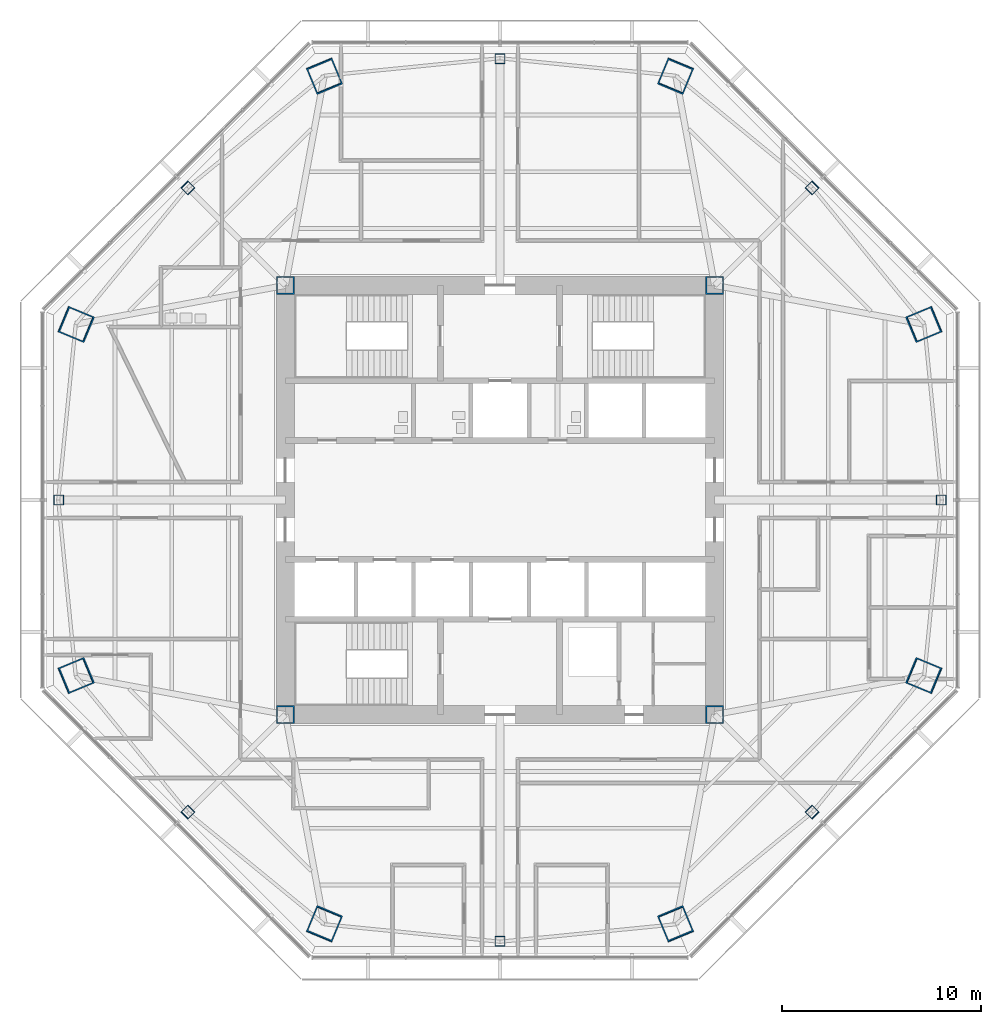
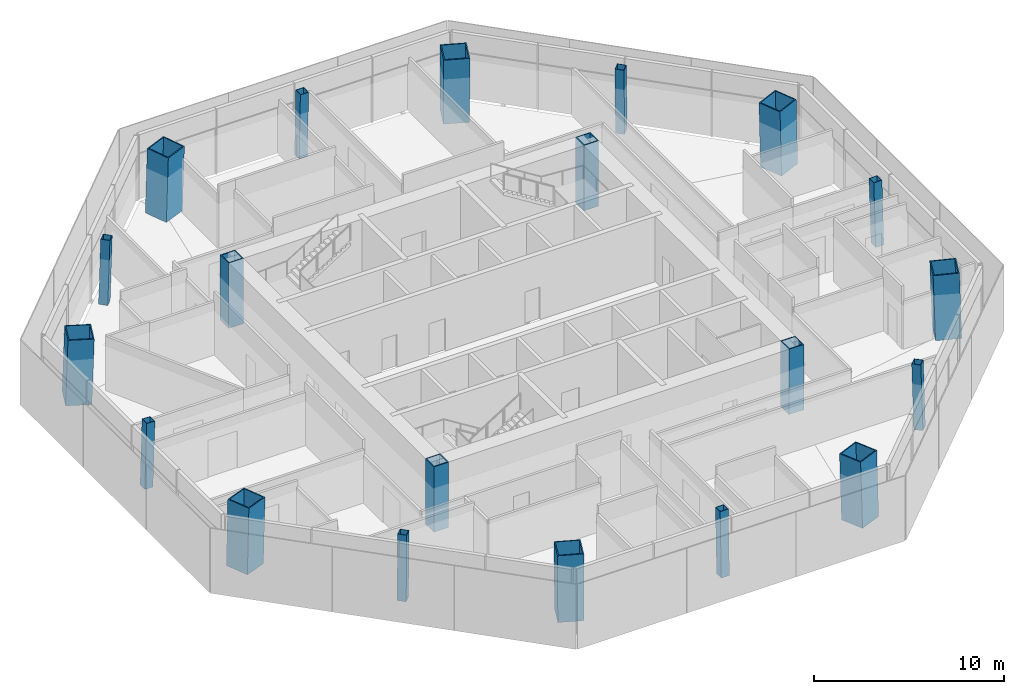
# One storey, part 1 of 15: 20 columns.
"""IFC4 building model written with IfcOpenShell, lengths in metres."""

from ifc_helpers import new_model, si_unit, direction, frame, origin, origin_2d, place, context, subcontext, project, spatial, hollow_rectangle, extrude, material, material_profile, profile_set, type_object, element, save


model = new_model("IFC4")

# Units and contexts
model_context = context("Model", 3, precision=1e-05, world=origin(), true_north=direction((0.0, 1.0)))
body_context = subcontext(model_context, "Body", "Model", "MODEL_VIEW")
ifc_project = project(units=[si_unit("LENGTHUNIT", "METRE"), si_unit("AREAUNIT", "SQUARE_METRE"), si_unit("VOLUMEUNIT", "CUBIC_METRE"), si_unit("PLANEANGLEUNIT", "RADIAN"), si_unit("MASSUNIT", "GRAM", prefix="KILO")], contexts=[model_context])

# Site, building, storey
site_placement = place(None, origin())
site = spatial("IfcSite", under=ifc_project, at=site_placement, CompositionType="ELEMENT")
building_placement = place(site_placement, origin())
building = spatial("IfcBuilding", under=site, at=building_placement, Name="Mashrafa Tower", CompositionType="ELEMENT")
storey_placement = place(building_placement, frame((0.0, 0.0, 176.39990234375)))
storey = spatial("IfcBuildingStorey", under=building, at=storey_placement, Name="L40", CompositionType="ELEMENT", Elevation=176.39990234375)

# Columns
ifc_material_1 = material(Name="Steel ASTM A572 Gr 50", Category="steel")
ifc_material_profile_1 = material_profile(ifc_material_1, hollow_rectangle(XDim=0.89990234375, YDim=0.89990234375, WallThickness=0.06005859375, at=origin_2d()), Name="BOX900X900X60")
ifc_profile_set_1 = profile_set([ifc_material_profile_1], Name="Steel ASTM A572 Gr 50")
column_type_1 = type_object("IfcColumnType", Name="Core corner column BOX900X900X60", PredefinedType="COLUMN", material=ifc_profile_set_1)
for number, where, z_axis, x_axis, name in (
    (1, (10.800048828125, 10.800048828125, 0.0), (0.0, 0.0, 1.0), (1.0, 0.0, 0.0), "Core corner column CC-NE L40"),
    (2, (-10.800048828125, 10.800048828125, 0.0), (0.0, 0.0, 1.0), (1.0, 0.0, 0.0), "Core corner column CC-NW L40"),
    (3, (-10.800048828125, -10.800048828125, 0.0), (0.0, 0.0, 1.0), (1.0, 0.0, 0.0), "Core corner column CC-SW L40"),
    (4, (10.800048828125, -10.800048828125, 0.0), (0.0, 0.0, 1.0), (1.0, 0.0, 0.0), "Core corner column CC-SE L40"),
):
    element("IfcColumn", number, at=place(storey_placement, frame(where, z_axis=z_axis, x_axis=x_axis)), inside=storey, type_object=column_type_1, Name=name, PredefinedType="COLUMN", context=body_context, shape_type="SweptSolid", body=[
        extrude(hollow_rectangle(XDim=0.89990234375, YDim=0.89990234375, WallThickness=0.06005859375, at=origin_2d()), origin(), (0.0, 0.0, 1.0), 4.2001953125),
    ])
ifc_material_2 = material(Name="Steel ASTM A572 Gr 50", Category="steel")
ifc_material_profile_2 = material_profile(ifc_material_2, hollow_rectangle(XDim=1.39990234375, YDim=1.39990234375, WallThickness=0.06494140625, at=origin_2d()), Name="BOX1400X1400X65")
ifc_profile_set_2 = profile_set([ifc_material_profile_2], Name="Steel ASTM A572 Gr 50")
column_type_2 = type_object("IfcColumnType", Name="Mega column CFST BOX1400X1400X65", PredefinedType="COLUMN", material=ifc_profile_set_2)
for number, where, z_axis, x_axis, name in (
    (5, (21.346435546875, 8.842041015625, 0.0), (-0.028294087032, -0.011735945751, 0.999530746009), (0.383133442967, -0.923693003589, 0.0), "Mega column MC1 L40"),
    (6, (8.842041015625, 21.346435546875, 0.0), (-0.011735945751, -0.028294087032, 0.999530746009), (0.923693003589, -0.383133442967, 0.0), "Mega column MC2 L40"),
    (7, (-8.842041015625, 21.346435546875, 0.0), (0.011735945751, -0.028294087032, 0.999530746009), (0.923693003589, 0.383133442967, 0.0), "Mega column MC3 L40"),
    (8, (-21.346435546875, 8.842041015625, 0.0), (0.028294087032, -0.011735945751, 0.999530746009), (0.383133442967, 0.923693003589, 0.0), "Mega column MC4 L40"),
    (9, (-21.346435546875, -8.842041015625, 0.0), (0.028294087032, 0.011735945751, 0.999530746009), (-0.383133442967, 0.923693003589, 0.0), "Mega column MC5 L40"),
    (10, (-8.842041015625, -21.346435546875, 0.0), (0.011735945751, 0.028294087032, 0.999530746009), (-0.923693003589, 0.383133442967, 0.0), "Mega column MC6 L40"),
    (11, (8.842041015625, -21.346435546875, 0.0), (-0.011735945751, 0.028294087032, 0.999530746009), (-0.923693003589, -0.383133442967, 0.0), "Mega column MC7 L40"),
    (12, (21.346435546875, -8.842041015625, 0.0), (-0.028294087032, 0.011735945751, 0.999530746009), (-0.383133442967, -0.923693003589, 0.0), "Mega column MC8 L40"),
):
    element("IfcColumn", number, at=place(storey_placement, frame(where, z_axis=z_axis, x_axis=x_axis)), inside=storey, type_object=column_type_2, Name=name, PredefinedType="COLUMN", context=body_context, shape_type="SweptSolid", body=[
        extrude(hollow_rectangle(XDim=1.39990234375, YDim=1.39990234375, WallThickness=0.06494140625, at=origin_2d()), origin(), (0.0, 0.0, 1.0), 4.2021484375),
    ])
ifc_material_3 = material(Name="Steel ASTM A572 Gr 50", Category="steel")
ifc_material_profile_3 = material_profile(ifc_material_3, hollow_rectangle(XDim=0.5, YDim=0.5, WallThickness=0.02490234375, at=origin_2d()), Name="BOX500X500X25")
ifc_profile_set_3 = profile_set([ifc_material_profile_3], Name="Steel ASTM A572 Gr 50")
column_type_3 = type_object("IfcColumnType", Name="Secondary column BOX500X500X25", PredefinedType="COLUMN", material=ifc_profile_set_3)
for number, where, z_axis, x_axis, name in (
    (13, (22.224609375, 0.0, 0.0), (-0.02829603574, 0.0, 0.999599587015), (0.0, -1.0, 0.0), "Secondary column SC1 L40"),
    (14, (15.715087890625, 15.715087890625, 0.0), (-0.019987360289, -0.019987360289, 0.999600425599), (0.707106781187, -0.707106781187, 0.0), "Secondary column SC2 L40"),
    (15, (0.0, 22.224609375, 0.0), (0.0, -0.02829603574, 0.999599587015), (1.0, 0.0, 0.0), "Secondary column SC3 L40"),
    (16, (-15.715087890625, 15.715087890625, 0.0), (0.019987360289, -0.019987360289, 0.999600425599), (0.707106781187, 0.707106781187, 0.0), "Secondary column SC4 L40"),
    (17, (-22.224609375, 0.0, 0.0), (0.02829603574, 0.0, 0.999599587015), (0.0, 1.0, 0.0), "Secondary column SC5 L40"),
    (18, (-15.715087890625, -15.715087890625, 0.0), (0.019987360289, 0.019987360289, 0.999600425599), (-0.707106781187, 0.707106781187, 0.0), "Secondary column SC6 L40"),
    (19, (0.0, -22.224609375, 0.0), (0.0, 0.02829603574, 0.999599587015), (-1.0, 0.0, 0.0), "Secondary column SC7 L40"),
    (20, (15.715087890625, -15.715087890625, 0.0), (-0.019987360289, 0.019987360289, 0.999600425599), (-0.707106781187, -0.707106781187, 0.0), "Secondary column SC8 L40"),
):
    element("IfcColumn", number, at=place(storey_placement, frame(where, z_axis=z_axis, x_axis=x_axis)), inside=storey, type_object=column_type_3, Name=name, PredefinedType="COLUMN", context=body_context, shape_type="SweptSolid", body=[
        extrude(hollow_rectangle(XDim=0.5, YDim=0.5, WallThickness=0.02490234375, at=origin_2d()), origin(), (0.0, 0.0, 1.0), 4.201904296875),
    ])

save(model, "model.ifc")
